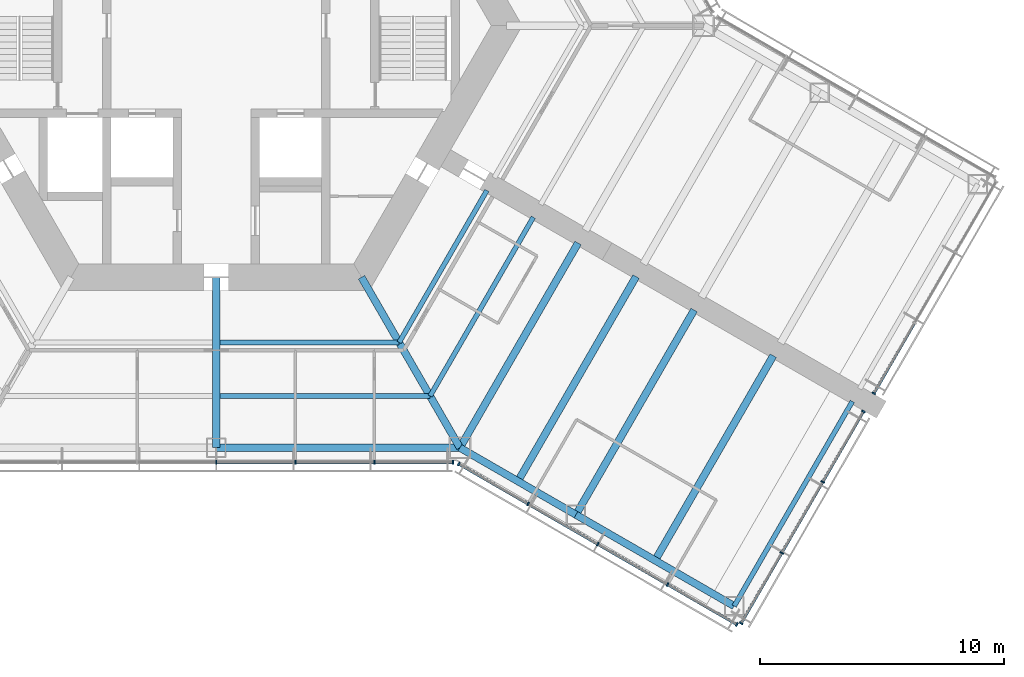
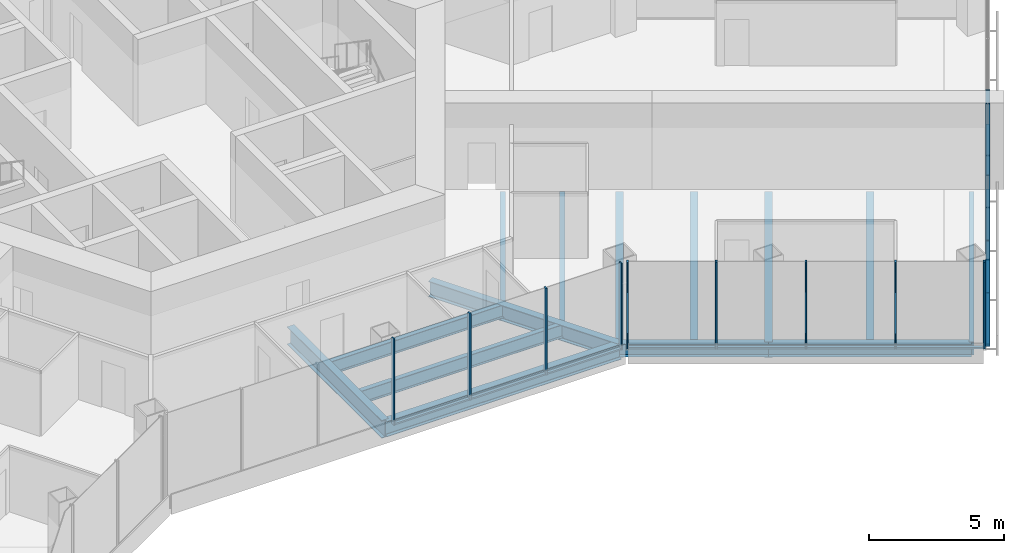
# One storey, part 5 of 19: 25 members, 14 beams, 4 elements without a shape of their own.
"""IFC4 building model written with IfcOpenShell, lengths in metres."""

from ifc_helpers import new_model, si_unit, direction, frame, origin, origin_2d, place, context, subcontext, project, spatial, rectangle, i_section, extrude, material, material_profile, profile_set, type_object, element, aggregate, save


model = new_model("IFC4")

# Units and contexts
model_context = context("Model", 3, precision=1e-05, world=origin(), true_north=direction((0.0, 1.0)))
body_context = subcontext(model_context, "Body", "Model", "MODEL_VIEW")
ifc_project = project(units=[si_unit("LENGTHUNIT", "METRE"), si_unit("AREAUNIT", "SQUARE_METRE"), si_unit("VOLUMEUNIT", "CUBIC_METRE"), si_unit("PLANEANGLEUNIT", "RADIAN"), si_unit("MASSUNIT", "GRAM", prefix="KILO")], contexts=[model_context])

# Site, building, storey
site_placement = place(None, origin())
site = spatial("IfcSite", under=ifc_project, at=site_placement, CompositionType="ELEMENT")
building_placement = place(site_placement, origin())
building = spatial("IfcBuilding", under=site, at=building_placement, Name="Kasaneha Research Tower", CompositionType="ELEMENT")
storey_placement = place(building_placement, frame((0.0, 0.0, 84.60009765625)))
storey = spatial("IfcBuildingStorey", under=building, at=storey_placement, Name="L21", CompositionType="ELEMENT", Elevation=84.60009765625)

# Beams
ifc_material_1 = material(Name="Steel SN490B", Category="steel")
ifc_material_profile_1 = material_profile(ifc_material_1, i_section(OverallWidth=0.199951171875, OverallDepth=0.60009765625, WebThickness=0.010986328125, FlangeThickness=0.01708984375, FilletRadius=0.012939453125, at=origin_2d()), Name="H-600x200x11x17")
ifc_profile_set_1 = profile_set([ifc_material_profile_1], Name="Steel SN490B")
beam_type_1 = type_object("IfcBeamType", Name="B1-3 secondary beam H-600x200x11x17", PredefinedType="JOIST", material=ifc_profile_set_1)
beam_1_placement = place(storey_placement, frame((7.505615234375, -13.0, -0.4501953125), z_axis=(-1.0, 0.0, 0.0), x_axis=(0.0, -1.0, 0.0)))
element("IfcBeam", 1, at=beam_1_placement, inside=storey, type_object=beam_type_1, Name="Secondary beam RS270R1 L21", PredefinedType="JOIST", context=body_context, shape_type="SweptSolid", body=[
    extrude(i_section(OverallWidth=0.199951171875, OverallDepth=0.60009765625, WebThickness=0.010986328125, FlangeThickness=0.01708984375, FilletRadius=0.012939453125, at=origin_2d()), origin(), (0.0, 0.0, 1.0), 7.355712890625),
])
beam_2_placement = place(storey_placement, frame((8.775634765625, -15.199951171875, -0.4501953125), z_axis=(-1.0, 0.0, 0.0), x_axis=(0.0, -1.0, 0.0)))
element("IfcBeam", 2, at=beam_2_placement, inside=storey, type_object=beam_type_1, Name="Secondary beam RS270R2 L21", PredefinedType="JOIST", context=body_context, shape_type="SweptSolid", body=[
    extrude(i_section(OverallWidth=0.199951171875, OverallDepth=0.60009765625, WebThickness=0.010986328125, FlangeThickness=0.01708984375, FilletRadius=0.012939453125, at=origin_2d()), origin(), (0.0, 0.0, 1.0), 8.625732421875),
])
beam_3_placement = place(storey_placement, frame((7.505615234375, -13.0, -0.4501953125), z_axis=(0.499998147991, 0.86602647304, 0.0), x_axis=(-0.86602647304, 0.499998147991, 0.0)))
element("IfcBeam", 3, at=beam_3_placement, inside=storey, type_object=beam_type_1, Name="Secondary beam RS330L1 L21", PredefinedType="JOIST", context=body_context, shape_type="SweptSolid", body=[
    extrude(i_section(OverallWidth=0.199951171875, OverallDepth=0.60009765625, WebThickness=0.010986328125, FlangeThickness=0.01708984375, FilletRadius=0.012939453125, at=origin_2d()), origin(), (0.0, 0.0, 1.0), 7.20556640625),
])
beam_4_placement = place(storey_placement, frame((8.775634765625, -15.199951171875, -0.4501953125), z_axis=(0.500020829043, 0.866013377797, 0.0), x_axis=(-0.866013377797, 0.500020829043, 0.0)))
element("IfcBeam", 4, at=beam_4_placement, inside=storey, type_object=beam_type_1, Name="Secondary beam RS330L2 L21", PredefinedType="JOIST", context=body_context, shape_type="SweptSolid", body=[
    extrude(i_section(OverallWidth=0.199951171875, OverallDepth=0.60009765625, WebThickness=0.010986328125, FlangeThickness=0.01708984375, FilletRadius=0.012939453125, at=origin_2d()), origin(), (0.0, 0.0, 1.0), 8.475830078125),
])
ifc_material_2 = material(Name="Steel SN490B", Category="steel")
ifc_material_profile_2 = material_profile(ifc_material_2, i_section(OverallWidth=0.300048828125, OverallDepth=0.58203125, WebThickness=0.011962890625, FlangeThickness=0.01708984375, FilletRadius=0.012939453125, at=origin_2d()), Name="H-582x300x12x17")
ifc_profile_set_2 = profile_set([ifc_material_profile_2], Name="Steel SN490B")
beam_type_2 = type_object("IfcBeamType", Name="B2-3 secondary beam H-582x300x12x17", PredefinedType="JOIST", material=ifc_profile_set_2)
for number, where, z_axis, x_axis, name in (
    (5, (12.381591796875, -18.695556640625, -0.441162109375), (0.500010041276, 0.866019606374, 0.0), (-0.866019606374, 0.500010041276, 0.0), "Secondary beam WBCP1 L21"),
    (6, (18.0107421875, -21.945556640625, -0.441162109375), (0.500010041276, 0.866019606374, 0.0), (-0.866019606374, 0.500010041276, 0.0), "Secondary beam WBCP2 L21"),
):
    element("IfcBeam", number, at=place(storey_placement, frame(where, z_axis=z_axis, x_axis=x_axis)), inside=storey, type_object=beam_type_2, Name=name, PredefinedType="JOIST", context=body_context, shape_type="SweptSolid", body=[
        extrude(i_section(OverallWidth=0.300048828125, OverallDepth=0.58203125, WebThickness=0.011962890625, FlangeThickness=0.01708984375, FilletRadius=0.012939453125, at=origin_2d()), origin(), (0.0, 0.0, 1.0), 9.699951171875),
    ])

# Curtain wall, members
ifc_material_3 = material(Name="Glass and aluminium", Category="aluminium")
curtain_wall_type = type_object("IfcCurtainWallType", Name="Low-rise office curtain wall", PredefinedType="USERDEFINED", material=ifc_material_3)
curtain_wall_1_placement = place(storey_placement, origin())
curtain_wall_1 = element("IfcCurtainWall", 7, at=curtain_wall_1_placement, inside=storey, type_object=curtain_wall_type, Name="CW-O1 L21 run 02a", ObjectType="UNITISED CURTAIN WALL", PredefinedType="USERDEFINED")
ifc_material_4 = material(Name="Aluminium 6063-T6", Category="aluminium")
ifc_material_profile_3 = material_profile(ifc_material_4, rectangle(XDim=0.06005859375, YDim=0.159912109375, at=origin_2d()), Name="CW-O1 mullion 60x160")
ifc_profile_set_3 = profile_set([ifc_material_profile_3], Name="Aluminium 6063-T6")
member_type_1 = type_object("IfcMemberType", Name="CW-O1 mullion", PredefinedType="MULLION", material=ifc_profile_set_3)
member_1_placement = place(storey_placement, frame((0.0, -17.92041015625, 0.0), z_axis=(0.0, 0.0, 1.0), x_axis=(1.0, 0.0, 0.0)))
member_1 = element("IfcMember", 8, at=member_1_placement, type_object=member_type_1, Name="CW-O1 mullion 4", PredefinedType="MULLION", context=body_context, shape_type="SweptSolid", body=[
    extrude(rectangle(XDim=0.06005859375, YDim=0.159912109375, at=origin_2d()), origin(), (0.0, 0.0, 1.0), 3.89990234375),
])
member_2_placement = place(storey_placement, frame((3.246337890625, -17.92041015625, 0.0), z_axis=(0.0, 0.0, 1.0), x_axis=(1.0, 0.0, 0.0)))
member_2 = element("IfcMember", 9, at=member_2_placement, type_object=member_type_1, Name="CW-O1 mullion 5", PredefinedType="MULLION", context=body_context, shape_type="SweptSolid", body=[
    extrude(rectangle(XDim=0.06005859375, YDim=0.159912109375, at=origin_2d()), origin(), (0.0, 0.0, 1.0), 3.89990234375),
])
member_3_placement = place(storey_placement, frame((6.492919921875, -17.92041015625, 0.0), z_axis=(0.0, 0.0, 1.0), x_axis=(1.0, 0.0, 0.0)))
member_3 = element("IfcMember", 10, at=member_3_placement, type_object=member_type_1, Name="CW-O1 mullion 6", PredefinedType="MULLION", context=body_context, shape_type="SweptSolid", body=[
    extrude(rectangle(XDim=0.06005859375, YDim=0.159912109375, at=origin_2d()), origin(), (0.0, 0.0, 1.0), 3.89990234375),
])
member_4_placement = place(storey_placement, frame((9.709228515625, -17.92041015625, 0.0), z_axis=(0.0, 0.0, 1.0), x_axis=(1.0, 0.0, 0.0)))
member_4 = element("IfcMember", 11, at=member_4_placement, type_object=member_type_1, Name="CW-O1 mullion 7", PredefinedType="MULLION", context=body_context, shape_type="SweptSolid", body=[
    extrude(rectangle(XDim=0.06005859375, YDim=0.159912109375, at=origin_2d()), origin(), (0.0, 0.0, 1.0), 3.89990234375),
])

curtain_wall_2_placement = place(storey_placement, origin())
curtain_wall_2 = element("IfcCurtainWall", 12, at=curtain_wall_2_placement, inside=storey, type_object=curtain_wall_type, Name="CW-O1 L21 run 03a", ObjectType="UNITISED CURTAIN WALL", PredefinedType="USERDEFINED")
member_5_placement = place(storey_placement, frame((9.951904296875, -17.985595703125, 0.0), z_axis=(0.0, 0.0, 1.0), x_axis=(0.866025411464, -0.499999986699, 0.0)))
member_5 = element("IfcMember", 13, at=member_5_placement, type_object=member_type_1, Name="CW-O1 mullion 1", PredefinedType="MULLION", context=body_context, shape_type="SweptSolid", body=[
    extrude(rectangle(XDim=0.06005859375, YDim=0.159912109375, at=origin_2d()), origin(), (0.0, 0.0, 1.0), 3.89990234375),
])
member_6_placement = place(storey_placement, frame((12.792236328125, -19.62548828125, 0.0), z_axis=(0.0, 0.0, 1.0), x_axis=(0.866025411464, -0.499999986699, 0.0)))
member_6 = element("IfcMember", 14, at=member_6_placement, type_object=member_type_1, Name="CW-O1 mullion 2", PredefinedType="MULLION", context=body_context, shape_type="SweptSolid", body=[
    extrude(rectangle(XDim=0.06005859375, YDim=0.159912109375, at=origin_2d()), origin(), (0.0, 0.0, 1.0), 3.89990234375),
])
member_7_placement = place(storey_placement, frame((15.65869140625, -21.2802734375, 0.0), z_axis=(0.0, 0.0, 1.0), x_axis=(0.866025411464, -0.499999986699, 0.0)))
member_7 = element("IfcMember", 15, at=member_7_placement, type_object=member_type_1, Name="CW-O1 mullion 3", PredefinedType="MULLION", context=body_context, shape_type="SweptSolid", body=[
    extrude(rectangle(XDim=0.06005859375, YDim=0.159912109375, at=origin_2d()), origin(), (0.0, 0.0, 1.0), 3.89990234375),
])
member_8_placement = place(storey_placement, frame((18.52490234375, -22.935302734375, 0.0), z_axis=(0.0, 0.0, 1.0), x_axis=(0.866025411464, -0.499999986699, 0.0)))
member_8 = element("IfcMember", 16, at=member_8_placement, type_object=member_type_1, Name="CW-O1 mullion 4", PredefinedType="MULLION", context=body_context, shape_type="SweptSolid", body=[
    extrude(rectangle(XDim=0.06005859375, YDim=0.159912109375, at=origin_2d()), origin(), (0.0, 0.0, 1.0), 3.89990234375),
])
member_9_placement = place(storey_placement, frame((21.365478515625, -24.5751953125, 0.0), z_axis=(0.0, 0.0, 1.0), x_axis=(0.866025411464, -0.499999986699, 0.0)))
member_9 = element("IfcMember", 17, at=member_9_placement, type_object=member_type_1, Name="CW-O1 mullion 5", PredefinedType="MULLION", context=body_context, shape_type="SweptSolid", body=[
    extrude(rectangle(XDim=0.06005859375, YDim=0.159912109375, at=origin_2d()), origin(), (0.0, 0.0, 1.0), 3.89990234375),
])

curtain_wall_3_placement = place(storey_placement, origin())
curtain_wall_3 = element("IfcCurtainWall", 18, at=curtain_wall_3_placement, inside=storey, type_object=curtain_wall_type, Name="CW-O1 L21 run 04a", ObjectType="UNITISED CURTAIN WALL", PredefinedType="USERDEFINED")
member_10_placement = place(storey_placement, frame((21.54296875, -24.527587890625, 0.0), z_axis=(0.0, 0.0, 1.0), x_axis=(0.500000011442, 0.866025397178, 0.0)))
member_10 = element("IfcMember", 19, at=member_10_placement, type_object=member_type_1, Name="CW-O1 mullion 1", PredefinedType="MULLION", context=body_context, shape_type="SweptSolid", body=[
    extrude(rectangle(XDim=0.06005859375, YDim=0.159912109375, at=origin_2d()), origin(), (0.0, 0.0, 1.0), 3.89990234375),
])
member_11_placement = place(storey_placement, frame((23.211181640625, -21.637939453125, 0.0), z_axis=(0.0, 0.0, 1.0), x_axis=(0.500000011442, 0.866025397178, 0.0)))
member_11 = element("IfcMember", 20, at=member_11_placement, type_object=member_type_1, Name="CW-O1 mullion 2", PredefinedType="MULLION", context=body_context, shape_type="SweptSolid", body=[
    extrude(rectangle(XDim=0.06005859375, YDim=0.159912109375, at=origin_2d()), origin(), (0.0, 0.0, 1.0), 3.89990234375),
])
member_12_placement = place(storey_placement, frame((24.89453125, -18.72216796875, 0.0), z_axis=(0.0, 0.0, 1.0), x_axis=(0.500000011442, 0.866025397178, 0.0)))
member_12 = element("IfcMember", 21, at=member_12_placement, type_object=member_type_1, Name="CW-O1 mullion 3", PredefinedType="MULLION", context=body_context, shape_type="SweptSolid", body=[
    extrude(rectangle(XDim=0.06005859375, YDim=0.159912109375, at=origin_2d()), origin(), (0.0, 0.0, 1.0), 3.89990234375),
])
member_13_placement = place(storey_placement, frame((26.56298828125, -15.832763671875, 0.0), z_axis=(0.0, 0.0, 1.0), x_axis=(0.500000011442, 0.866025397178, 0.0)))
member_13 = element("IfcMember", 22, at=member_13_placement, type_object=member_type_1, Name="CW-O1 mullion 4", PredefinedType="MULLION", context=body_context, shape_type="SweptSolid", body=[
    extrude(rectangle(XDim=0.06005859375, YDim=0.159912109375, at=origin_2d()), origin(), (0.0, 0.0, 1.0), 3.89990234375),
])

# Curtain wall, member
curtain_wall_4_placement = place(storey_placement, origin())
curtain_wall_4 = element("IfcCurtainWall", 23, at=curtain_wall_4_placement, inside=storey, type_object=curtain_wall_type, Name="CW-O1 L21 run 05a", ObjectType="UNITISED CURTAIN WALL", PredefinedType="USERDEFINED")
member_14_placement = place(storey_placement, frame((26.992919921875, -15.087890625, 0.0), z_axis=(0.0, 0.0, 1.0), x_axis=(0.500000011442, 0.866025397178, 0.0)))
member_14 = element("IfcMember", 24, at=member_14_placement, type_object=member_type_1, Name="CW-O1 mullion 1", PredefinedType="MULLION", context=body_context, shape_type="SweptSolid", body=[
    extrude(rectangle(XDim=0.06005859375, YDim=0.159912109375, at=origin_2d()), origin(), (0.0, 0.0, 1.0), 3.89990234375),
])

# Member
ifc_material_5 = material(Name="Aluminium 6063-T6", Category="aluminium")
ifc_material_profile_4 = material_profile(ifc_material_5, rectangle(XDim=0.1201171875, YDim=0.06005859375, at=origin_2d()), Name="CW-O1 transom 120x60")
ifc_profile_set_4 = profile_set([ifc_material_profile_4], Name="Aluminium 6063-T6")
member_type_2 = type_object("IfcMemberType", Name="CW-O1 transom", PredefinedType="USERDEFINED", material=ifc_profile_set_4)
member_15_placement = place(storey_placement, frame((0.030029296875, -17.92041015625, 0.02978515625), z_axis=(1.0, 0.0, 0.0), x_axis=(0.0, 1.0, 0.0)))
member_15 = element("IfcMember", 25, at=member_15_placement, type_object=member_type_2, Name="CW-O1 transom 4", ObjectType="TRANSOM", PredefinedType="USERDEFINED", context=body_context, shape_type="SweptSolid", body=[
    extrude(rectangle(XDim=0.1201171875, YDim=0.06005859375, at=origin_2d()), origin(), (0.0, 0.0, 1.0), 3.186279296875),
])

member_16_placement = place(storey_placement, frame((3.2763671875, -17.92041015625, 0.02978515625), z_axis=(1.0, 0.0, 0.0), x_axis=(0.0, 1.0, 0.0)))
member_16 = element("IfcMember", 26, at=member_16_placement, type_object=member_type_2, Name="CW-O1 transom 5", ObjectType="TRANSOM", PredefinedType="USERDEFINED", context=body_context, shape_type="SweptSolid", body=[
    extrude(rectangle(XDim=0.1201171875, YDim=0.06005859375, at=origin_2d()), origin(), (0.0, 0.0, 1.0), 3.1865234375),
])

member_17_placement = place(storey_placement, frame((6.522705078125, -17.92041015625, 0.02978515625), z_axis=(1.0, 0.0, 0.0), x_axis=(0.0, 1.0, 0.0)))
member_17 = element("IfcMember", 27, at=member_17_placement, type_object=member_type_2, Name="CW-O1 transom 6", ObjectType="TRANSOM", PredefinedType="USERDEFINED", context=body_context, shape_type="SweptSolid", body=[
    extrude(rectangle(XDim=0.1201171875, YDim=0.06005859375, at=origin_2d()), origin(), (0.0, 0.0, 1.0), 3.156494140625),
])

aggregate(curtain_wall_1, [member_1, member_2, member_3, member_4, member_15, member_16, member_17])

member_18_placement = place(storey_placement, frame((9.977783203125, -18.00048828125, 0.02978515625), z_axis=(0.866022692473, -0.500004696101, 0.0), x_axis=(0.500004696101, 0.866022692473, 0.0)))
member_18 = element("IfcMember", 28, at=member_18_placement, type_object=member_type_2, Name="CW-O1 transom 1", ObjectType="TRANSOM", PredefinedType="USERDEFINED", context=body_context, shape_type="SweptSolid", body=[
    extrude(rectangle(XDim=0.1201171875, YDim=0.06005859375, at=origin_2d()), origin(), (0.0, 0.0, 1.0), 3.2197265625),
])

member_19_placement = place(storey_placement, frame((12.818115234375, -19.640380859375, 0.02978515625), z_axis=(0.866015446554, -0.500017246033, 0.0), x_axis=(0.500017246033, 0.866015446554, 0.0)))
member_19 = element("IfcMember", 29, at=member_19_placement, type_object=member_type_2, Name="CW-O1 transom 2", ObjectType="TRANSOM", PredefinedType="USERDEFINED", context=body_context, shape_type="SweptSolid", body=[
    extrude(rectangle(XDim=0.1201171875, YDim=0.06005859375, at=origin_2d()), origin(), (0.0, 0.0, 1.0), 3.25),
])

member_20_placement = place(storey_placement, frame((15.6845703125, -21.29541015625, 0.02978515625), z_axis=(0.86604797581, -0.499960902066, 0.0), x_axis=(0.499960902066, 0.86604797581, 0.0)))
member_20 = element("IfcMember", 30, at=member_20_placement, type_object=member_type_2, Name="CW-O1 transom 3", ObjectType="TRANSOM", PredefinedType="USERDEFINED", context=body_context, shape_type="SweptSolid", body=[
    extrude(rectangle(XDim=0.1201171875, YDim=0.06005859375, at=origin_2d()), origin(), (0.0, 0.0, 1.0), 3.249755859375),
])

member_21_placement = place(storey_placement, frame((18.551025390625, -22.9501953125, 0.02978515625), z_axis=(0.866022692473, -0.500004696101, 0.0), x_axis=(0.500004696101, 0.866022692473, 0.0)))
member_21 = element("IfcMember", 31, at=member_21_placement, type_object=member_type_2, Name="CW-O1 transom 4", ObjectType="TRANSOM", PredefinedType="USERDEFINED", context=body_context, shape_type="SweptSolid", body=[
    extrude(rectangle(XDim=0.1201171875, YDim=0.06005859375, at=origin_2d()), origin(), (0.0, 0.0, 1.0), 3.2197265625),
])

aggregate(curtain_wall_2, [member_5, member_6, member_7, member_8, member_9, member_18, member_19, member_20, member_21])

member_22_placement = place(storey_placement, frame((21.557861328125, -24.50146484375, 0.02978515625), z_axis=(0.500025583411, 0.866010632691, 0.0), x_axis=(-0.866010632691, 0.500025583411, 0.0)))
member_22 = element("IfcMember", 32, at=member_22_placement, type_object=member_type_2, Name="CW-O1 transom 1", ObjectType="TRANSOM", PredefinedType="USERDEFINED", context=body_context, shape_type="SweptSolid", body=[
    extrude(rectangle(XDim=0.1201171875, YDim=0.06005859375, at=origin_2d()), origin(), (0.0, 0.0, 1.0), 3.276611328125),
])

member_23_placement = place(storey_placement, frame((23.226318359375, -21.61181640625, 0.02978515625), z_axis=(0.500014325468, 0.866017132814, 0.0), x_axis=(-0.866017132814, 0.500014325468, 0.0)))
member_23 = element("IfcMember", 33, at=member_23_placement, type_object=member_type_2, Name="CW-O1 transom 2", ObjectType="TRANSOM", PredefinedType="USERDEFINED", context=body_context, shape_type="SweptSolid", body=[
    extrude(rectangle(XDim=0.1201171875, YDim=0.06005859375, at=origin_2d()), origin(), (0.0, 0.0, 1.0), 3.306640625),
])

member_24_placement = place(storey_placement, frame((24.90966796875, -18.6962890625, 0.02978515625), z_axis=(0.499969700927, 0.866042896256, 0.0), x_axis=(-0.866042896256, 0.499969700927, 0.0)))
member_24 = element("IfcMember", 34, at=member_24_placement, type_object=member_type_2, Name="CW-O1 transom 3", ObjectType="TRANSOM", PredefinedType="USERDEFINED", context=body_context, shape_type="SweptSolid", body=[
    extrude(rectangle(XDim=0.1201171875, YDim=0.06005859375, at=origin_2d()), origin(), (0.0, 0.0, 1.0), 3.276611328125),
])

aggregate(curtain_wall_3, [member_10, member_11, member_12, member_13, member_22, member_23, member_24])

member_25_placement = place(storey_placement, frame((27.008056640625, -15.061767578125, 0.02978515625), z_axis=(0.499969700927, 0.866042896256, 0.0), x_axis=(-0.866042896256, 0.499969700927, 0.0)))
member_25 = element("IfcMember", 35, at=member_25_placement, type_object=member_type_2, Name="CW-O1 transom 1", ObjectType="TRANSOM", PredefinedType="USERDEFINED", context=body_context, shape_type="SweptSolid", body=[
    extrude(rectangle(XDim=0.1201171875, YDim=0.06005859375, at=origin_2d()), origin(), (0.0, 0.0, 1.0), 3.276611328125),
])

aggregate(curtain_wall_4, [member_14, member_25])

# Beams
ifc_material_6 = material(Name="Steel SN490B", Category="steel")
ifc_material_profile_5 = material_profile(ifc_material_6, i_section(OverallWidth=0.300048828125, OverallDepth=0.699951171875, WebThickness=0.012939453125, FlangeThickness=0.02392578125, FilletRadius=0.01806640625, at=origin_2d()), Name="H-700x300x13x24")
ifc_profile_set_5 = profile_set([ifc_material_profile_5], Name="Steel SN490B")
beam_type_3 = type_object("IfcBeamType", Name="G1-3 radial girder H-700x300x13x24", PredefinedType="BEAM", material=ifc_profile_set_5)
beam_5_placement = place(storey_placement, frame((5.961181640625, -10.324951171875, -0.5), z_axis=(0.49999105496, -0.866030568144, 0.0), x_axis=(0.866030568144, 0.49999105496, 0.0)))
element("IfcBeam", 36, at=beam_5_placement, inside=storey, type_object=beam_type_3, Name="Radial girder RV300 L21", PredefinedType="BEAM", context=body_context, shape_type="SweptSolid", body=[
    extrude(i_section(OverallWidth=0.300048828125, OverallDepth=0.699951171875, WebThickness=0.012939453125, FlangeThickness=0.02392578125, FilletRadius=0.01806640625, at=origin_2d()), origin(), (0.0, 0.0, 1.0), 8.077880859375),
])
ifc_material_7 = material(Name="Steel SN490B", Category="steel")
ifc_material_profile_6 = material_profile(ifc_material_7, i_section(OverallWidth=0.300048828125, OverallDepth=0.800048828125, WebThickness=0.013916015625, FlangeThickness=0.02587890625, FilletRadius=0.01806640625, at=origin_2d()), Name="H-800x300x14x26")
ifc_profile_set_6 = profile_set([ifc_material_profile_6], Name="Steel SN490B")
beam_type_4 = type_object("IfcBeamType", Name="G2-3 radial girder H-800x300x14x26", PredefinedType="BEAM", material=ifc_profile_set_6)
beam_6_placement = place(storey_placement, frame((0.0, -10.324951171875, -0.550048828125), z_axis=(0.0, -1.0, 0.0), x_axis=(1.0, 0.0, 0.0)))
element("IfcBeam", 37, at=beam_6_placement, inside=storey, type_object=beam_type_4, Name="Radial girder RM270 L21", PredefinedType="BEAM", context=body_context, shape_type="SweptSolid", body=[
    extrude(i_section(OverallWidth=0.300048828125, OverallDepth=0.800048828125, WebThickness=0.013916015625, FlangeThickness=0.02587890625, FilletRadius=0.01806640625, at=origin_2d()), origin(), (0.0, 0.0, 1.0), 6.99560546875),
])
ifc_material_8 = material(Name="Steel SN490B", Category="steel")
ifc_material_profile_7 = material_profile(ifc_material_8, i_section(OverallWidth=0.300048828125, OverallDepth=0.69189453125, WebThickness=0.012939453125, FlangeThickness=0.02001953125, FilletRadius=0.01806640625, at=origin_2d()), Name="H-692x300x13x20")
ifc_profile_set_7 = profile_set([ifc_material_profile_7], Name="Steel SN490B")
beam_type_5 = type_object("IfcBeamType", Name="G3-3 plate edge girder H-692x300x13x20", PredefinedType="BEAM", material=ifc_profile_set_7)
beam_7_placement = place(storey_placement, frame((10.0, -17.320556640625, -0.49609375), z_axis=(0.500010041276, 0.866019606374, 0.0), x_axis=(-0.866019606374, 0.500010041276, 0.0)))
element("IfcBeam", 38, at=beam_7_placement, inside=storey, type_object=beam_type_5, Name="Plate edge girder PECP L21", PredefinedType="BEAM", context=body_context, shape_type="SweptSolid", body=[
    extrude(i_section(OverallWidth=0.300048828125, OverallDepth=0.69189453125, WebThickness=0.012939453125, FlangeThickness=0.02001953125, FilletRadius=0.01806640625, at=origin_2d()), origin(), (0.0, 0.0, 1.0), 9.699951171875),
])
ifc_material_9 = material(Name="Steel SN490B", Category="steel")
ifc_material_profile_8 = material_profile(ifc_material_9, i_section(OverallWidth=0.300048828125, OverallDepth=0.699951171875, WebThickness=0.012939453125, FlangeThickness=0.02392578125, FilletRadius=0.01806640625, at=origin_2d()), Name="H-700x300x13x24")
ifc_profile_set_8 = profile_set([ifc_material_profile_8], Name="Steel SN490B")
beam_type_6 = type_object("IfcBeamType", Name="G4-3 wing girder H-700x300x13x24", PredefinedType="BEAM", material=ifc_profile_set_8)
beam_8_placement = place(storey_placement, frame((14.76318359375, -20.070556640625, -0.5), z_axis=(0.499991164321, 0.866030505006, 0.0), x_axis=(-0.866030505006, 0.499991164321, 0.0)))
element("IfcBeam", 39, at=beam_8_placement, inside=storey, type_object=beam_type_6, Name="Wing girder WGCP L21", PredefinedType="BEAM", context=body_context, shape_type="SweptSolid", body=[
    extrude(i_section(OverallWidth=0.300048828125, OverallDepth=0.699951171875, WebThickness=0.012939453125, FlangeThickness=0.02392578125, FilletRadius=0.01806640625, at=origin_2d()), origin(), (0.0, 0.0, 1.0), 9.699951171875),
])
ifc_material_10 = material(Name="Steel SN490B", Category="steel")
ifc_material_profile_9 = material_profile(ifc_material_10, i_section(OverallWidth=0.300048828125, OverallDepth=0.69189453125, WebThickness=0.012939453125, FlangeThickness=0.02001953125, FilletRadius=0.01806640625, at=origin_2d()), Name="H-692x300x13x20")
ifc_profile_set_9 = profile_set([ifc_material_profile_9], Name="Steel SN490B")
beam_type_7 = type_object("IfcBeamType", Name="SB1-3 spandrel beam H-692x300x13x20", PredefinedType="SPANDREL", material=ifc_profile_set_9)
beam_9_placement = place(storey_placement, frame((10.0, -17.320556640625, -0.49609375), z_axis=(-1.0, 0.0, 0.0), x_axis=(0.0, -1.0, 0.0)))
element("IfcBeam", 40, at=beam_9_placement, inside=storey, type_object=beam_type_7, Name="Spandrel beam SR270R L21", PredefinedType="SPANDREL", context=body_context, shape_type="SweptSolid", body=[
    extrude(i_section(OverallWidth=0.300048828125, OverallDepth=0.69189453125, WebThickness=0.012939453125, FlangeThickness=0.02001953125, FilletRadius=0.01806640625, at=origin_2d()), origin(), (0.0, 0.0, 1.0), 10.0),
])
ifc_material_11 = material(Name="Steel SN490B", Category="steel")
ifc_material_profile_10 = material_profile(ifc_material_11, i_section(OverallWidth=0.300048828125, OverallDepth=0.58203125, WebThickness=0.011962890625, FlangeThickness=0.01708984375, FilletRadius=0.012939453125, at=origin_2d()), Name="H-582x300x12x17")
ifc_profile_set_10 = profile_set([ifc_material_profile_10], Name="Steel SN490B")
beam_type_8 = type_object("IfcBeamType", Name="SB2-3 spandrel beam H-582x300x12x17", PredefinedType="SPANDREL", material=ifc_profile_set_10)
beam_10_placement = place(storey_placement, frame((10.0, -17.320556640625, -0.441162109375), z_axis=(0.866027397988, -0.499996545922, 0.0), x_axis=(0.499996545922, 0.866027397988, 0.0)))
element("IfcBeam", 41, at=beam_10_placement, inside=storey, type_object=beam_type_8, Name="Spandrel beam WSCP1 L21", PredefinedType="SPANDREL", context=body_context, shape_type="SweptSolid", body=[
    extrude(i_section(OverallWidth=0.300048828125, OverallDepth=0.58203125, WebThickness=0.011962890625, FlangeThickness=0.01708984375, FilletRadius=0.012939453125, at=origin_2d()), origin(), (0.0, 0.0, 1.0), 5.5),
])
beam_11_placement = place(storey_placement, frame((14.76318359375, -20.070556640625, -0.441162109375), z_axis=(0.866022959057, -0.500004234368, 0.0), x_axis=(0.500004234368, 0.866022959057, 0.0)))
element("IfcBeam", 42, at=beam_11_placement, inside=storey, type_object=beam_type_8, Name="Spandrel beam WSCP2 L21", PredefinedType="SPANDREL", context=body_context, shape_type="SweptSolid", body=[
    extrude(i_section(OverallWidth=0.300048828125, OverallDepth=0.58203125, WebThickness=0.011962890625, FlangeThickness=0.01708984375, FilletRadius=0.012939453125, at=origin_2d()), origin(), (0.0, 0.0, 1.0), 7.5),
])
ifc_material_12 = material(Name="Steel SN490B", Category="steel")
ifc_material_profile_11 = material_profile(ifc_material_12, i_section(OverallWidth=0.199951171875, OverallDepth=0.60009765625, WebThickness=0.010986328125, FlangeThickness=0.01708984375, FilletRadius=0.012939453125, at=origin_2d()), Name="H-600x200x11x17")
ifc_profile_set_11 = profile_set([ifc_material_profile_11], Name="Steel SN490B")
beam_type_9 = type_object("IfcBeamType", Name="SB3-3 spandrel beam H-600x200x11x17", PredefinedType="SPANDREL", material=ifc_profile_set_11)
beam_12_placement = place(storey_placement, frame((21.25830078125, -23.820556640625, -0.4501953125), z_axis=(0.500010041276, 0.866019606374, 0.0), x_axis=(-0.866019606374, 0.500010041276, 0.0)))
element("IfcBeam", 43, at=beam_12_placement, inside=storey, type_object=beam_type_9, Name="Spandrel beam WTCP L21", PredefinedType="SPANDREL", context=body_context, shape_type="SweptSolid", body=[
    extrude(i_section(OverallWidth=0.199951171875, OverallDepth=0.60009765625, WebThickness=0.010986328125, FlangeThickness=0.01708984375, FilletRadius=0.012939453125, at=origin_2d()), origin(), (0.0, 0.0, 1.0), 9.699951171875),
])

save(model, "model.ifc")
